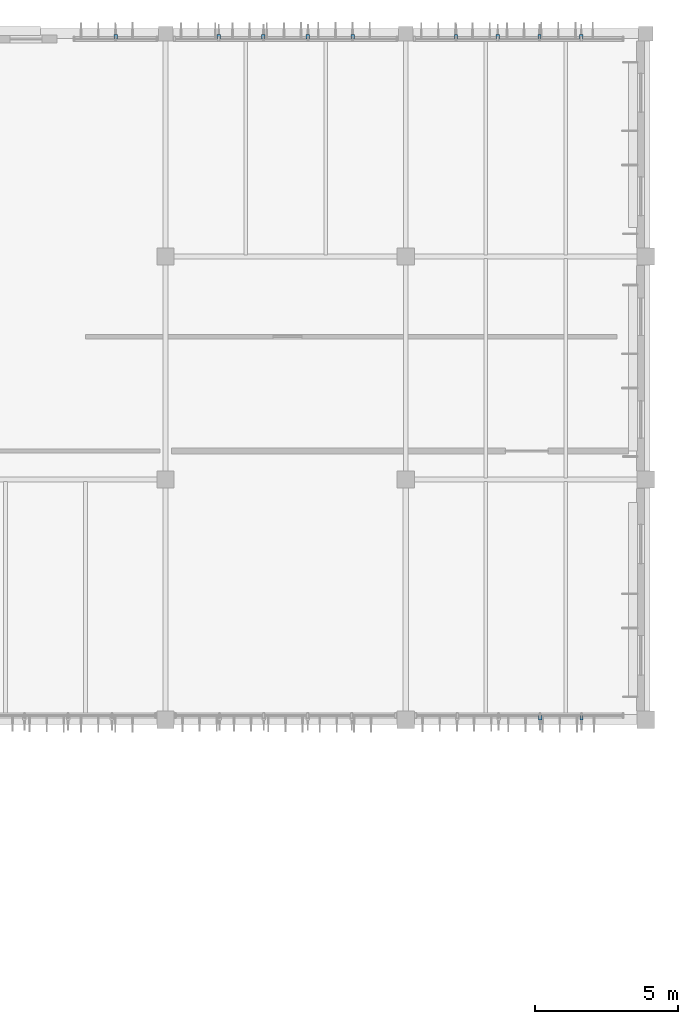
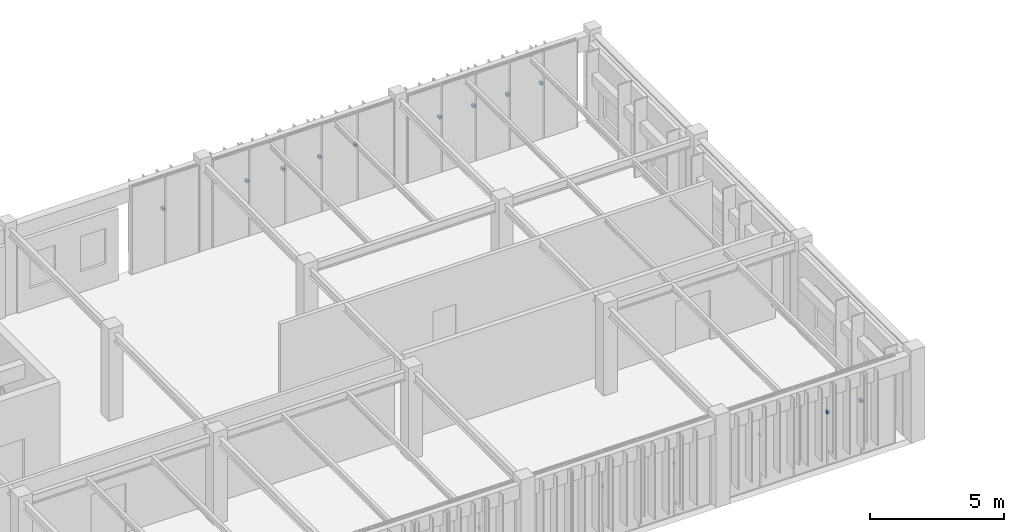
# One storey, part 55 of 104: 11 discrete accessories.
"""IFC4 building model written with IfcOpenShell, lengths in metres."""

import ifcopenshell
import ifcopenshell.guid

model = None  # the IFC model being written
_history = None  # IfcOwnerHistory: only IFC2X3 demands one
_inside = {}  # id of a spatial element -> (the spatial element, [elements in it])
_under = {}  # id of a project, library or spatial element -> (it, [spatial elements below it])
_declared = {}  # id of a project -> (the project, [libraries it declares])
_typed = {}  # id of a type object -> (the type object, [elements of that type])
_made_of = {}  # id of a material, layer set ... -> (it, [elements and type objects made of it])


def new_model(schema):
    """Start an empty IFC model of exactly this schema.

    Asked for "IFC4X3", IfcOpenShell would pick the latest addendum, in which some entities
    have other attributes; the version numbers below select the first issue.
    IFC2X3 requires an IfcOwnerHistory on every rooted entity: one is made here for all.
    """
    global model, _history
    if schema == "IFC4X3":
        model = ifcopenshell.file(schema_version=(4, 3, 0, 0))
    else:
        model = ifcopenshell.file(schema=schema)
    _inside.clear()
    _under.clear()
    _declared.clear()
    _typed.clear()
    _made_of.clear()
    _history = None
    if model.schema == "IFC2X3":
        org = make("IfcOrganization", Name="unknown")
        user = make(
            "IfcPersonAndOrganization",
            ThePerson=make("IfcPerson", FamilyName="unknown"),
            TheOrganization=org,
        )
        app = make(
            "IfcApplication",
            ApplicationDeveloper=org,
            Version="unknown",
            ApplicationFullName="unknown",
            ApplicationIdentifier="unknown",
        )
        _history = make(
            "IfcOwnerHistory",
            OwningUser=user,
            OwningApplication=app,
            ChangeAction="ADDED",
            CreationDate=0,
        )
    return model


def make(cls, **values):
    """One entity of the class cls with the attributes given. An attribute that is None is left unset."""
    return model.create_entity(
        cls, **{name: value for name, value in values.items() if value is not None}
    )


def rooted(cls, **values):
    """An entity with a GlobalId (a new one), such as an element, a storey or a relation."""
    return make(cls, GlobalId=ifcopenshell.guid.new(), OwnerHistory=_history, **values)


def si_unit(unit_type, name, prefix=None):
    """IfcSIUnit, for example si_unit("LENGTHUNIT", "METRE", prefix="MILLI")."""
    return make("IfcSIUnit", UnitType=unit_type, Prefix=prefix, Name=name)


def assignment(units):
    """IfcUnitAssignment: the units of a project."""
    return None if units is None else make("IfcUnitAssignment", Units=units)


def point(xyz):
    """IfcCartesianPoint."""
    return None if xyz is None else make("IfcCartesianPoint", Coordinates=xyz)


def direction(xyz):
    """IfcDirection."""
    return None if xyz is None else make("IfcDirection", DirectionRatios=xyz)


def frame(location, z_axis=None, x_axis=None):
    """IfcAxis2Placement3D, a coordinate frame: its origin and axes. An axis left out is left unset."""
    return make(
        "IfcAxis2Placement3D",
        Location=point(location),
        Axis=direction(z_axis),
        RefDirection=direction(x_axis),
    )


def frame_2d(location, x_axis=None):
    """IfcAxis2Placement2D, a coordinate frame in the plane: its origin and x axis."""
    return make(
        "IfcAxis2Placement2D", Location=point(location), RefDirection=direction(x_axis)
    )


def origin():
    """The frame at (0, 0, 0) with its axes left unset."""
    return frame((0.0, 0.0, 0.0))


def origin_2d():
    """The frame at (0, 0) in the plane with its x axis left unset."""
    return frame_2d((0.0, 0.0))


def place(relative_to, where):
    """IfcLocalPlacement: puts the frame where relative to a parent placement (None: the world)."""
    return make(
        "IfcLocalPlacement", PlacementRelTo=relative_to, RelativePlacement=where
    )


def context(
    kind, dimensions, precision=None, world=None, true_north=None, identifier=None
):
    """IfcGeometricRepresentationContext, for example the 3D "Model" context."""
    return make(
        "IfcGeometricRepresentationContext",
        ContextIdentifier=identifier,
        ContextType=kind,
        CoordinateSpaceDimension=dimensions,
        Precision=precision,
        WorldCoordinateSystem=world,
        TrueNorth=true_north,
    )


def subcontext(parent, identifier, kind, view, scale=None):
    """IfcGeometricRepresentationSubContext, for example "Body" below "Model"."""
    return make(
        "IfcGeometricRepresentationSubContext",
        ContextIdentifier=identifier,
        ContextType=kind,
        ParentContext=parent,
        TargetScale=scale,
        TargetView=view,
    )


def project(units=None, contexts=None):
    """IfcProject with its units and contexts."""
    return rooted(
        "IfcProject",
        Name="project",
        RepresentationContexts=contexts,
        UnitsInContext=assignment(units),
    )


def spatial(cls, under=None, at=None, **own):
    """A site, building, storey or space (cls), placed at a placement, below another one or the project."""
    s = rooted(cls, ObjectPlacement=at, **own)
    if under is not None:
        _under.setdefault(under.id(), (under, []))[1].append(s)
    return s


def profile(cls, at=None, kind="AREA", **sizes):
    """A parametric profile (cls). Its sizes go by their IFC names, for example OverallWidth=200.0."""
    return make(cls, ProfileType=kind, Position=at, **sizes)


def rectangle(**sizes):
    """IfcRectangleProfileDef."""
    return profile("IfcRectangleProfileDef", **sizes)


def extrude(swept, where, along, depth):
    """IfcExtrudedAreaSolid: the profile swept, set in the frame where, extruded along a direction by depth."""
    return make(
        "IfcExtrudedAreaSolid",
        SweptArea=swept,
        Position=where,
        ExtrudedDirection=direction(along),
        Depth=depth,
    )


def shape(context_of_items, identifier, shape_type, items):
    """IfcShapeRepresentation: the items that make up one representation, for example the "Body"."""
    return make(
        "IfcShapeRepresentation",
        ContextOfItems=context_of_items,
        RepresentationIdentifier=identifier,
        RepresentationType=shape_type,
        Items=items,
    )


def material(Name=None, Category=None):
    """IfcMaterial."""
    return make("IfcMaterial", Name=Name, Category=Category)


def made_of(thing, what):
    """Note that an element or type object is made of a material, layer set ...; save() writes the relation."""
    if what is not None:
        _made_of.setdefault(what.id(), (what, []))[1].append(thing)
    return thing


def type_object(cls, material=None, **own):
    """A type object (cls), such as IfcWallType, which elements share."""
    return made_of(rooted(cls, **own), material)


def element(
    cls,
    number,
    at=None,
    inside=None,
    cuts=None,
    type_object=None,
    material=None,
    context=None,
    identifier="Body",
    shape_type=None,
    held_by="IfcProductDefinitionShape",
    body=None,
    shapes=None,
    **own,
):
    """One element of the class cls, such as IfcWall. Its Tag is "e" and its number.

    at: its placement. inside: the storey or other place that contains it. cuts: it is an
    opening in that element (IfcRelVoidsElement). A single representation is given by context,
    identifier, shape_type and body (its items); several are given by shapes. held_by: the class
    of the entity that holds the representations. save() writes the other relations.
    """
    e = rooted(cls, Tag="e%d" % number, ObjectPlacement=at, **own)
    if body is not None:
        shapes = [shape(context, identifier, shape_type, body)]
    if shapes is not None:
        e.Representation = make(held_by, Representations=shapes)
    if inside is not None:
        _inside.setdefault(inside.id(), (inside, []))[1].append(e)
    if cuts is not None:
        rooted(
            "IfcRelVoidsElement", RelatingBuildingElement=cuts, RelatedOpeningElement=e
        )
    if type_object is not None:
        _typed.setdefault(type_object.id(), (type_object, []))[1].append(e)
    return made_of(e, material)


def aggregate(whole, parts):
    """IfcRelAggregates: a whole, such as a stair, and the parts it consists of."""
    return rooted("IfcRelAggregates", RelatingObject=whole, RelatedObjects=parts)


def save(model, path):
    """Write the relations noted so far, then the file.

    IfcRelAggregates (storeys below a building ...), IfcRelContainedInSpatialStructure (elements
    in a storey), IfcRelDefinesByType, IfcRelAssociatesMaterial and IfcRelDeclares: one each for
    every whole, place, type object, material and project.
    """
    for whole, parts in _under.values():
        aggregate(whole, parts)
    for where, things in _inside.values():
        rooted(
            "IfcRelContainedInSpatialStructure",
            RelatedElements=things,
            RelatingStructure=where,
        )
    for kind, things in _typed.values():
        rooted("IfcRelDefinesByType", RelatedObjects=things, RelatingType=kind)
    for what, things in _made_of.values():
        rooted("IfcRelAssociatesMaterial", RelatedObjects=things, RelatingMaterial=what)
    for by, libraries in _declared.values():
        rooted("IfcRelDeclares", RelatingContext=by, RelatedDefinitions=libraries)
    model.write(path)


model = new_model("IFC4")

# Units and contexts
model_context = context("Model", 3, precision=1e-05, world=origin(), true_north=direction((0.0, 1.0)))
body_context = subcontext(model_context, "Body", "Model", "MODEL_VIEW")
ifc_project = project(units=[si_unit("LENGTHUNIT", "METRE"), si_unit("AREAUNIT", "SQUARE_METRE"), si_unit("VOLUMEUNIT", "CUBIC_METRE"), si_unit("PLANEANGLEUNIT", "RADIAN"), si_unit("MASSUNIT", "GRAM", prefix="KILO")], contexts=[model_context])

# Site, building, storey
site_placement = place(None, origin())
site = spatial("IfcSite", under=ifc_project, at=site_placement, CompositionType="ELEMENT")
building_placement = place(site_placement, origin())
building = spatial("IfcBuilding", under=site, at=building_placement, Name="Tazoul Stagehouse", CompositionType="ELEMENT")
storey_placement = place(building_placement, frame((0.0, 0.0, 9.0)))
storey = spatial("IfcBuildingStorey", under=building, at=storey_placement, Name="L02", CompositionType="ELEMENT", Elevation=9.0)

# Discrete accessories
ifc_material = material(Name="Austenitic Stainless Steel EN 1.4401", Category="steel")
discrete_accessory_type = type_object("IfcDiscreteAccessoryType", Name="Stainless Steel Louvre Support Cleat Bracket", PredefinedType="BRACKET", material=ifc_material)
for number, where, z_axis, x_axis, name in (
    (1, (132.050048828125, 111.699951171875, 2.359130859375), (0.0, 0.0, 1.0), (1.0, 0.0, 0.0), "Cleat Bracket BRK-01 CW-V3-N3-L02-B1-BRK01"),
    (2, (135.659912109375, 111.699951171875, 2.359130859375), (0.0, 0.0, 1.0), (1.0, 0.0, 0.0), "Cleat Bracket BRK-01 CW-V3-N3-L02-B2-BRK01"),
    (3, (137.219970703125, 111.699951171875, 2.359130859375), (0.0, 0.0, 1.0), (1.0, 0.0, 0.0), "Cleat Bracket BRK-01 CW-V3-N3-L02-B2-BRK02"),
    (4, (138.780029296875, 111.699951171875, 2.359130859375), (0.0, 0.0, 1.0), (1.0, 0.0, 0.0), "Cleat Bracket BRK-01 CW-V3-N3-L02-B2-BRK03"),
    (5, (140.340087890625, 111.699951171875, 2.359130859375), (0.0, 0.0, 1.0), (1.0, 0.0, 0.0), "Cleat Bracket BRK-01 CW-V3-N3-L02-B2-BRK04"),
    (6, (143.9599609375, 111.699951171875, 2.359130859375), (0.0, 0.0, 1.0), (1.0, 0.0, 0.0), "Cleat Bracket BRK-01 CW-V3-N3-L02-B3-BRK01"),
    (7, (145.419921875, 111.699951171875, 2.359130859375), (0.0, 0.0, 1.0), (1.0, 0.0, 0.0), "Cleat Bracket BRK-01 CW-V3-N3-L02-B3-BRK02"),
    (8, (146.8798828125, 111.699951171875, 2.359130859375), (0.0, 0.0, 1.0), (1.0, 0.0, 0.0), "Cleat Bracket BRK-01 CW-V3-N3-L02-B3-BRK03"),
    (9, (148.340087890625, 111.699951171875, 2.359130859375), (0.0, 0.0, 1.0), (1.0, 0.0, 0.0), "Cleat Bracket BRK-01 CW-V3-N3-L02-B3-BRK04"),
    (10, (146.89990234375, 87.8701171875, 2.359130859375), (0.0, 0.0, 1.0), (1.0, 0.0, 0.0), "Cleat Bracket BRK-01 CW-V3-S2-L02-B3-BRK03"),
    (11, (148.35009765625, 87.8701171875, 2.359130859375), (0.0, 0.0, 1.0), (1.0, 0.0, 0.0), "Cleat Bracket BRK-01 CW-V3-S2-L02-B3-BRK04"),
):
    element("IfcDiscreteAccessory", number, at=place(storey_placement, frame(where, z_axis=z_axis, x_axis=x_axis)), inside=storey, type_object=discrete_accessory_type, Name=name, PredefinedType="BRACKET", context=body_context, shape_type="SweptSolid", body=[
        extrude(rectangle(XDim=0.1201171875, YDim=0.159912109375, at=origin_2d()), origin(), (0.0, 0.0, 1.0), 0.1201171875),
    ])

save(model, "model.ifc")
